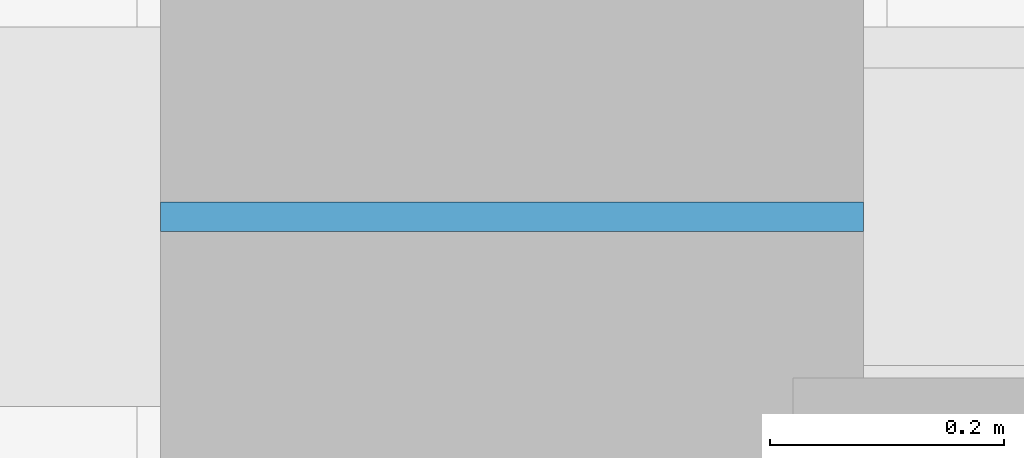
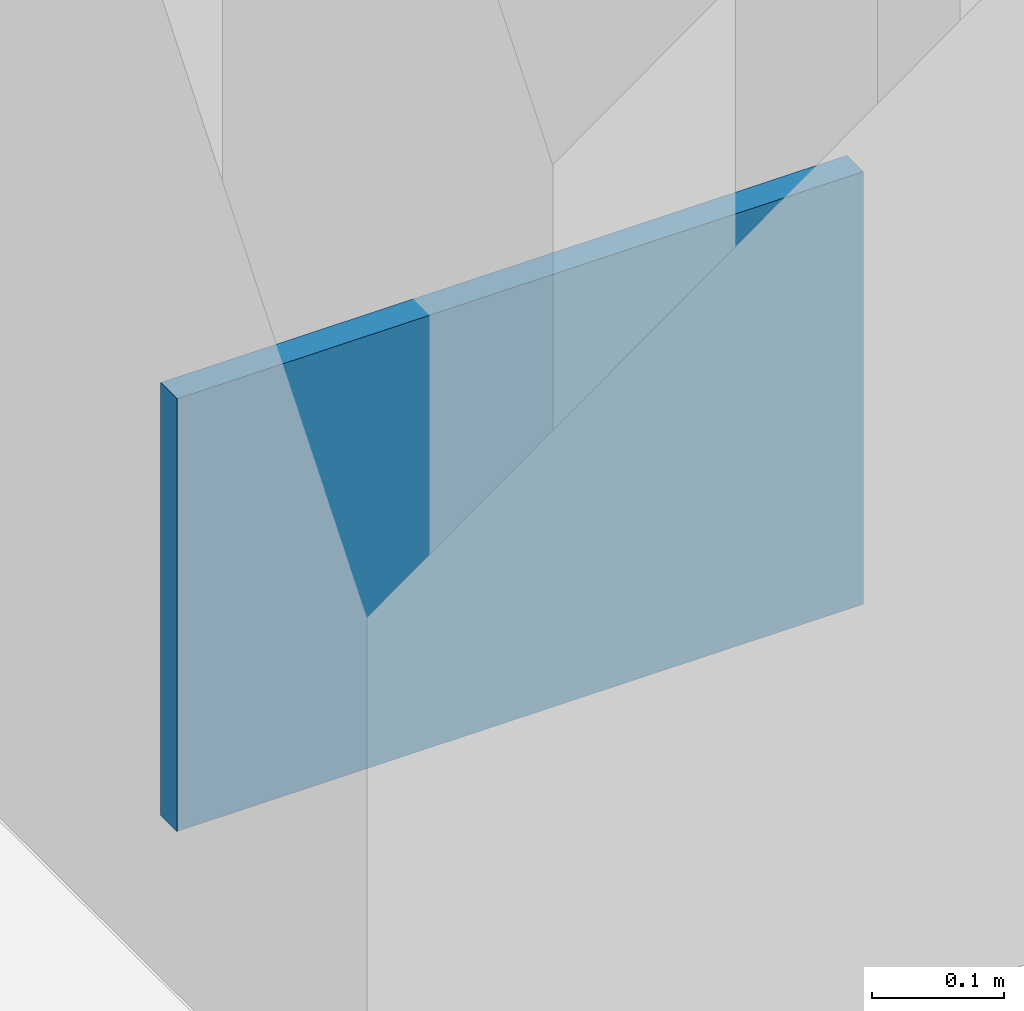
# One storey, part 74 of 116: 1 plate.
"""IFC4 building model written with IfcOpenShell, lengths in metres."""

from ifc_helpers import new_model, si_unit, direction, frame, origin, origin_2d, place, context, subcontext, project, spatial, rectangle, extrude, material, layer, layer_set, type_object, element, save


model = new_model("IFC4")

# Units and contexts
model_context = context("Model", 3, precision=1e-05, world=origin(), true_north=direction((0.0, 1.0)))
body_context = subcontext(model_context, "Body", "Model", "MODEL_VIEW")
ifc_project = project(units=[si_unit("LENGTHUNIT", "METRE"), si_unit("AREAUNIT", "SQUARE_METRE"), si_unit("VOLUMEUNIT", "CUBIC_METRE"), si_unit("PLANEANGLEUNIT", "RADIAN"), si_unit("MASSUNIT", "GRAM", prefix="KILO")], contexts=[model_context])

# Site, building, storey
site_placement = place(None, origin())
site = spatial("IfcSite", under=ifc_project, at=site_placement, CompositionType="ELEMENT")
building_placement = place(site_placement, origin())
building = spatial("IfcBuilding", under=site, at=building_placement, Name="Chalmorin Arch Market", CompositionType="ELEMENT")
storey_placement = place(building_placement, origin())
storey = spatial("IfcBuildingStorey", under=building, at=storey_placement, Name="L00", CompositionType="ELEMENT", Elevation=0.0)

# Plate
ifc_material = material(Name="Steel A572 Grade 50", Category="steel")
ifc_layer = layer(ifc_material, 0.02490234375)
ifc_layer_set = layer_set([ifc_layer], Name="Steel A572 Grade 50")
plate_type = type_object("IfcPlateType", Name="NodeGussetPlate-600x400x25", PredefinedType="SHEET", material=ifc_layer_set)
plate_placement = place(storey_placement, frame((67.199951171875, 81.60009765625, 0.150146484375), z_axis=(0.0, 0.0, 1.0), x_axis=(1.0, 0.0, 0.0)))
element("IfcPlate", 1, at=plate_placement, inside=storey, type_object=plate_type, Name="GP-01-167", PredefinedType="SHEET", context=body_context, shape_type="SweptSolid", body=[
    extrude(rectangle(XDim=0.60009765625, YDim=0.02490234375, at=origin_2d()), origin(), (0.0, 0.0, 1.0), 0.39990234375),
])

save(model, "model.ifc")
